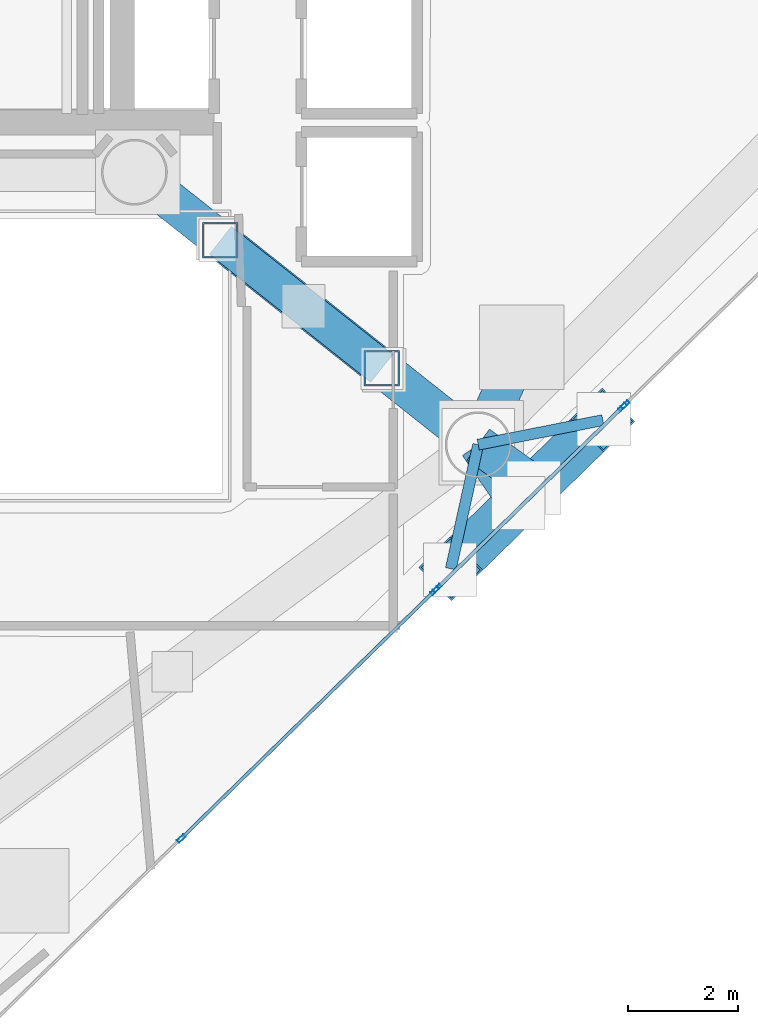
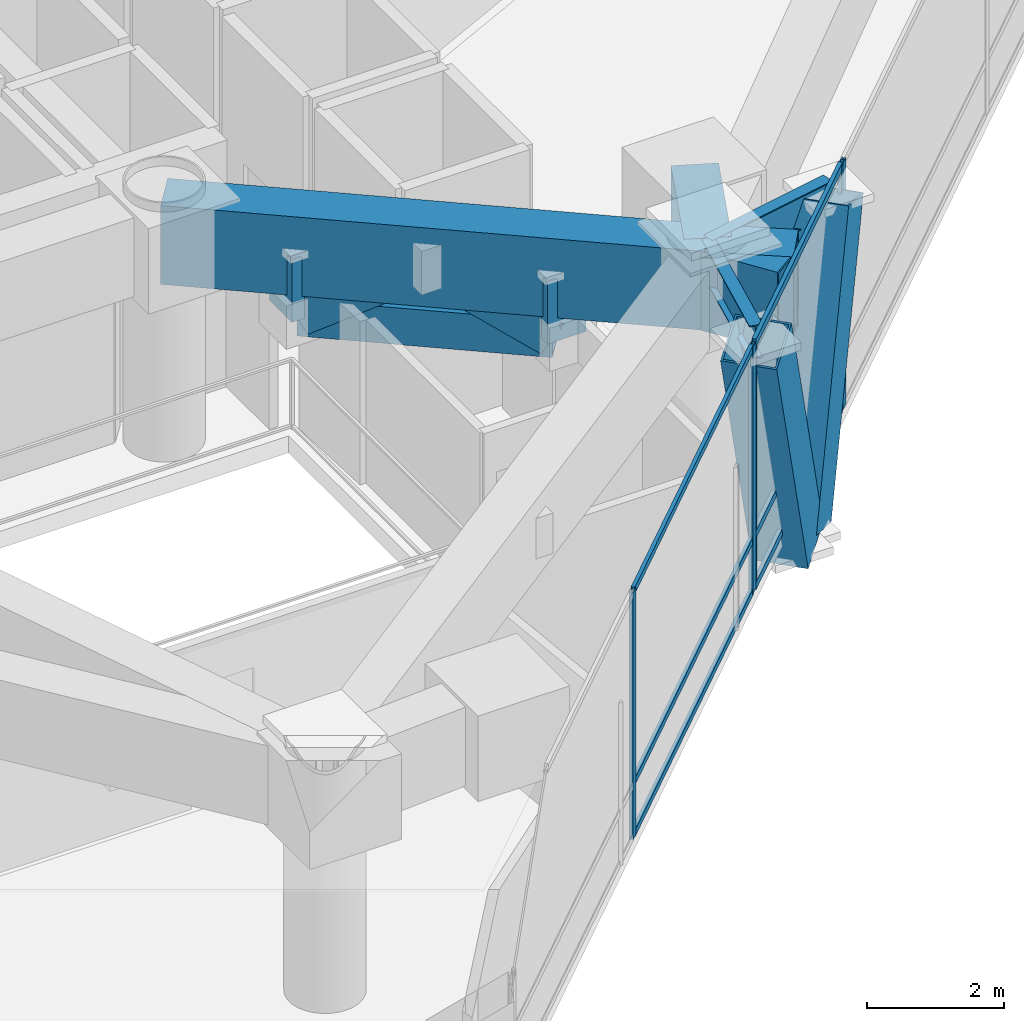
# One storey, part 5 of 20: 18 members, 6 beams, 3 elements without a shape of their own.
"""IFC4 building model written with IfcOpenShell, lengths in metres."""

from ifc_helpers import new_model, si_unit, direction, frame, origin, origin_2d, place, context, subcontext, project, spatial, hollow_rectangle, i_section, extrude, material, layer, layer_set, material_profile, profile_set, type_object, element, aggregate, save


model = new_model("IFC4")

# Units and contexts
model_context = context("Model", 3, precision=1e-05, world=origin(), true_north=direction((0.0, 1.0)))
body_context = subcontext(model_context, "Body", "Model", "MODEL_VIEW")
ifc_project = project(units=[si_unit("LENGTHUNIT", "METRE"), si_unit("AREAUNIT", "SQUARE_METRE"), si_unit("VOLUMEUNIT", "CUBIC_METRE"), si_unit("PLANEANGLEUNIT", "RADIAN"), si_unit("MASSUNIT", "GRAM", prefix="KILO")], contexts=[model_context])

# Site, building, storey
site_placement = place(None, origin())
site = spatial("IfcSite", under=ifc_project, at=site_placement, CompositionType="ELEMENT")
building_placement = place(site_placement, origin())
building = spatial("IfcBuilding", under=site, at=building_placement, Name="Qianvela Tower", CompositionType="ELEMENT")
storey_placement = place(building_placement, frame((0.0, 0.0, 229.89990234375)))
storey = spatial("IfcBuildingStorey", under=building, at=storey_placement, Name="L59", CompositionType="ELEMENT", Elevation=229.89990234375)

# Beams
ifc_material_1 = material(Name="Steel Q355B", Category="steel")
ifc_material_profile_1 = material_profile(ifc_material_1, i_section(OverallWidth=0.199951171875, OverallDepth=0.60009765625, WebThickness=0.010986328125, FlangeThickness=0.01708984375, at=origin_2d()), Name="HN600x200x11x17")
ifc_profile_set_1 = profile_set([ifc_material_profile_1], Name="Steel Q355B")
beam_type_1 = type_object("IfcBeamType", Name="BM-HN600-GIRD", PredefinedType="BEAM", material=ifc_profile_set_1)
for number, where, z_axis, x_axis, name in (
    (1, (44.6669921875, 18.883056640625, 4.078125), (-0.215022560493, -0.97660908171, 0.0), (0.97660908171, -0.215022560493, 0.0), "L59 Mega-Brace Column Tie Bracket F3-1"),
    (2, (44.6669921875, 18.883056640625, 4.078125), (0.981219633748, 0.192893831801, 0.0), (-0.192893831801, 0.981219633748, 0.0), "L59 Mega-Brace Column Tie Bracket F3-2"),
):
    element("IfcBeam", number, at=place(storey_placement, frame(where, z_axis=z_axis, x_axis=x_axis)), inside=storey, type_object=beam_type_1, Name=name, PredefinedType="BEAM", context=body_context, shape_type="SweptSolid", body=[
        extrude(i_section(OverallWidth=0.199951171875, OverallDepth=0.60009765625, WebThickness=0.010986328125, FlangeThickness=0.01708984375, at=origin_2d()), origin(), (0.0, 0.0, 1.0), 2.3173828125),
    ])
ifc_material_2 = material(Name="Steel Q420GJC", Category="steel")
ifc_material_profile_2 = material_profile(ifc_material_2, hollow_rectangle(XDim=0.699951171875, YDim=1.39990234375, WallThickness=0.0400390625, at=origin_2d()), Name="TG-BOX-1400x700x40")
ifc_profile_set_2 = profile_set([ifc_material_profile_2], Name="Steel Q420GJC")
beam_type_2 = type_object("IfcBeamType", Name="BM-TG-RAD-1400", PredefinedType="BEAM", material=ifc_profile_set_2)
beam_1_placement = place(storey_placement, frame((38.39990234375, 23.85009765625, 3.677978515625), z_axis=(0.783705217119, -0.621132942824, 0.0), x_axis=(0.621132942824, 0.783705217119, 0.0)))
element("IfcBeam", 3, at=beam_1_placement, inside=storey, type_object=beam_type_2, Name="L59 Radial Outrigger Top Transfer Girder 6", PredefinedType="BEAM", context=body_context, shape_type="SweptSolid", body=[
    extrude(hollow_rectangle(XDim=0.699951171875, YDim=1.39990234375, WallThickness=0.0400390625, at=origin_2d()), origin(), (0.0, 0.0, 1.0), 7.996826171875),
])
ifc_material_3 = material(Name="Steel Q420GJC", Category="steel")
ifc_material_profile_3 = material_profile(ifc_material_3, hollow_rectangle(XDim=0.699951171875, YDim=1.39990234375, WallThickness=0.0400390625, at=origin_2d()), Name="TG-BOX-1400x700x40")
ifc_profile_set_3 = profile_set([ifc_material_profile_3], Name="Steel Q420GJC")
beam_type_3 = type_object("IfcBeamType", Name="BM-TG-STEP-1400", PredefinedType="BEAM", material=ifc_profile_set_3)
beam_2_placement = place(storey_placement, frame((44.6669921875, 18.883056640625, 3.675048828125), z_axis=(0.566794105166, -0.823859479735, 0.0), x_axis=(0.823859479735, 0.566794105166, 0.0)))
element("IfcBeam", 4, at=beam_2_placement, inside=storey, type_object=beam_type_3, Name="L59 Mega-Brace Zone Base Bracket F3-1", PredefinedType="BEAM", context=body_context, shape_type="SweptSolid", body=[
    extrude(hollow_rectangle(XDim=0.699951171875, YDim=1.39990234375, WallThickness=0.0400390625, at=origin_2d()), origin(), (0.0, 0.0, 1.0), 1.288818359375),
])
beam_3_placement = place(storey_placement, frame((44.6669921875, 18.883056640625, 3.675048828125), z_axis=(0.810869025456, -0.585227668139, 0.0), x_axis=(0.585227668139, 0.810869025456, 0.0)))
element("IfcBeam", 5, at=beam_3_placement, inside=storey, type_object=beam_type_3, Name="L59 Mega-Brace Zone Base Bracket F3-2", PredefinedType="BEAM", context=body_context, shape_type="SweptSolid", body=[
    extrude(hollow_rectangle(XDim=0.699951171875, YDim=1.39990234375, WallThickness=0.0400390625, at=origin_2d()), origin(), (0.0, 0.0, 1.0), 1.28857421875),
])
beam_4_placement = place(storey_placement, frame((44.6669921875, 18.883056640625, 3.677978515625), z_axis=(0.40919763601, 0.912445776298, 0.0), x_axis=(-0.912445776298, 0.40919763601, 0.0)))
element("IfcBeam", 6, at=beam_4_placement, inside=storey, type_object=beam_type_3, Name="L59 Zone-Step Transfer Girder 6", PredefinedType="BEAM", context=body_context, shape_type="SweptSolid", body=[
    extrude(hollow_rectangle(XDim=0.699951171875, YDim=1.39990234375, WallThickness=0.0400390625, at=origin_2d()), origin(), (0.0, 0.0, 1.0), 1.87939453125),
])

# Curtain wall, members
ifc_material_4 = material(Name="Anodised Architectural Aluminium and Insulated Spandrel Panel", Category="aluminium")
ifc_layer_1 = layer(ifc_material_4, 0.179931640625)
ifc_layer_set_1 = layer_set([ifc_layer_1], Name="Anodised Architectural Aluminium and Insulated Spandrel Panel")
curtain_wall_type_1 = type_object("IfcCurtainWallType", Name="CW-BRACEBAY", PredefinedType="USERDEFINED", material=ifc_layer_set_1)
curtain_wall_1_placement = place(storey_placement, origin())
curtain_wall_1 = element("IfcCurtainWall", 7, at=curtain_wall_1_placement, inside=storey, type_object=curtain_wall_type_1, Name="L59 CW-BRACEBAY Curtain Wall 06B", ObjectType="CURTAIN_WALL_SYSTEM", PredefinedType="USERDEFINED")
ifc_material_5 = material(Name="Anodised Architectural Aluminium 6063-T6", Category="aluminium")
ifc_material_profile_4 = material_profile(ifc_material_5, hollow_rectangle(XDim=0.06494140625, YDim=0.159912109375, WallThickness=0.0048828125, at=origin_2d()), Name="ALU-MULL-65x160")
ifc_profile_set_4 = profile_set([ifc_material_profile_4], Name="Anodised Architectural Aluminium 6063-T6")
member_type_1 = type_object("IfcMemberType", Name="CW-BRACEBAY-MULL", PredefinedType="MULLION", material=ifc_profile_set_4)
member_1_placement = place(storey_placement, frame((43.921142578125, 16.26611328125, 0.0), z_axis=(0.0, 0.0, 1.0), x_axis=(-0.699065687984, 0.715057454953, 0.0)))
member_1 = element("IfcMember", 8, at=member_1_placement, type_object=member_type_1, Name="CW-9 mullion 1", PredefinedType="MULLION", context=body_context, shape_type="SweptSolid", body=[
    extrude(hollow_rectangle(XDim=0.06494140625, YDim=0.159912109375, WallThickness=0.0048828125, at=origin_2d()), origin(), (0.0, 0.0, 1.0), 4.380126953125),
])
member_2_placement = place(storey_placement, frame((47.2998046875, 19.5693359375, 0.0), z_axis=(0.0, 0.0, 1.0), x_axis=(-0.699065687984, 0.715057454953, 0.0)))
member_2 = element("IfcMember", 9, at=member_2_placement, type_object=member_type_1, Name="CW-9 mullion 2", PredefinedType="MULLION", context=body_context, shape_type="SweptSolid", body=[
    extrude(hollow_rectangle(XDim=0.06494140625, YDim=0.159912109375, WallThickness=0.0048828125, at=origin_2d()), origin(), (0.0, 0.0, 1.0), 4.380126953125),
])
ifc_material_6 = material(Name="Anodised Architectural Aluminium 6063-T6", Category="aluminium")
ifc_material_profile_5 = material_profile(ifc_material_6, hollow_rectangle(XDim=0.06494140625, YDim=0.1298828125, WallThickness=0.00439453125, at=origin_2d()), Name="ALU-TRAN-65x130")
ifc_profile_set_5 = profile_set([ifc_material_profile_5], Name="Anodised Architectural Aluminium 6063-T6")
member_type_2 = type_object("IfcMemberType", Name="CW-BRACEBAY-TRAN", PredefinedType="USERDEFINED", material=ifc_profile_set_5)
member_3_placement = place(storey_placement, frame((43.944580078125, 16.288818359375, 0.03271484375), z_axis=(0.715025291783, 0.699098585401, 0.0), x_axis=(-0.699098585401, 0.715025291783, 0.0)))
member_3 = element("IfcMember", 10, at=member_3_placement, type_object=member_type_2, Name="CW-9 transom 1.1", ObjectType="TRANSOM", PredefinedType="USERDEFINED", context=body_context, shape_type="SweptSolid", body=[
    extrude(hollow_rectangle(XDim=0.06494140625, YDim=0.1298828125, WallThickness=0.00439453125, at=origin_2d()), origin(), (0.0, 0.0, 1.0), 4.659912109375),
])
member_4_placement = place(storey_placement, frame((43.944580078125, 16.288818359375, 0.9501953125), z_axis=(0.715025291783, 0.699098585401, 0.0), x_axis=(-0.699098585401, 0.715025291783, 0.0)))
member_4 = element("IfcMember", 11, at=member_4_placement, type_object=member_type_2, Name="CW-9 transom 1.2", ObjectType="TRANSOM", PredefinedType="USERDEFINED", context=body_context, shape_type="SweptSolid", body=[
    extrude(hollow_rectangle(XDim=0.06494140625, YDim=0.1298828125, WallThickness=0.00439453125, at=origin_2d()), origin(), (0.0, 0.0, 1.0), 4.659912109375),
])
member_5_placement = place(storey_placement, frame((43.944580078125, 16.288818359375, 4.34765625), z_axis=(0.715025291783, 0.699098585401, 0.0), x_axis=(-0.699098585401, 0.715025291783, 0.0)))
member_5 = element("IfcMember", 12, at=member_5_placement, type_object=member_type_2, Name="CW-9 transom 1.3", ObjectType="TRANSOM", PredefinedType="USERDEFINED", context=body_context, shape_type="SweptSolid", body=[
    extrude(hollow_rectangle(XDim=0.06494140625, YDim=0.1298828125, WallThickness=0.00439453125, at=origin_2d()), origin(), (0.0, 0.0, 1.0), 4.659912109375),
])
aggregate(curtain_wall_1, [member_1, member_2, member_3, member_4, member_5])

ifc_material_7 = material(Name="Anodised Architectural Aluminium and Low-E Glass", Category="aluminium")
ifc_layer_2 = layer(ifc_material_7, 0.159912109375)
ifc_layer_set_2 = layer_set([ifc_layer_2], Name="Anodised Architectural Aluminium and Low-E Glass")
curtain_wall_type_2 = type_object("IfcCurtainWallType", Name="CW-COLIV-Z56", PredefinedType="USERDEFINED", material=ifc_layer_set_2)
curtain_wall_2_placement = place(storey_placement, origin())
curtain_wall_2 = element("IfcCurtainWall", 13, at=curtain_wall_2_placement, inside=storey, type_object=curtain_wall_type_2, Name="L59 CW-COLIV-Z56 Curtain Wall 06A", ObjectType="CURTAIN_WALL_SYSTEM", PredefinedType="USERDEFINED")
ifc_material_8 = material(Name="Anodised Architectural Aluminium 6063-T6", Category="aluminium")
ifc_material_profile_6 = material_profile(ifc_material_8, hollow_rectangle(XDim=0.06494140625, YDim=0.159912109375, WallThickness=0.0048828125, at=origin_2d()), Name="ALU-MULL-65x160")
ifc_profile_set_6 = profile_set([ifc_material_profile_6], Name="Anodised Architectural Aluminium 6063-T6")
member_type_3 = type_object("IfcMemberType", Name="CW-COLIV-Z56-MULL", PredefinedType="MULLION", material=ifc_profile_set_6)
member_6_placement = place(storey_placement, frame((39.25390625, 11.702880859375, 0.0), z_axis=(0.0, 0.0, 1.0), x_axis=(-0.699078624574, 0.715044807452, 0.0)))
member_6 = element("IfcMember", 14, at=member_6_placement, type_object=member_type_3, Name="CW-5 mullion 2", PredefinedType="MULLION", context=body_context, shape_type="SweptSolid", body=[
    extrude(hollow_rectangle(XDim=0.06494140625, YDim=0.159912109375, WallThickness=0.0048828125, at=origin_2d()), origin(), (0.0, 0.0, 1.0), 4.380126953125),
])
member_7_placement = place(storey_placement, frame((43.874755859375, 16.220703125, 0.0), z_axis=(0.0, 0.0, 1.0), x_axis=(-0.699078624574, 0.715044807452, 0.0)))
member_7 = element("IfcMember", 15, at=member_7_placement, type_object=member_type_3, Name="CW-5 mullion 3", PredefinedType="MULLION", context=body_context, shape_type="SweptSolid", body=[
    extrude(hollow_rectangle(XDim=0.06494140625, YDim=0.159912109375, WallThickness=0.0048828125, at=origin_2d()), origin(), (0.0, 0.0, 1.0), 4.380126953125),
])

# Curtain wall, member
curtain_wall_3_placement = place(storey_placement, origin())
curtain_wall_3 = element("IfcCurtainWall", 16, at=curtain_wall_3_placement, inside=storey, type_object=curtain_wall_type_2, Name="L59 CW-COLIV-Z56 Curtain Wall 06C", ObjectType="CURTAIN_WALL_SYSTEM", PredefinedType="USERDEFINED")
member_8_placement = place(storey_placement, frame((47.346435546875, 19.61474609375, 0.0), z_axis=(0.0, 0.0, 1.0), x_axis=(-0.699077512028, 0.715045895154, 0.0)))
member_8 = element("IfcMember", 17, at=member_8_placement, type_object=member_type_3, Name="CW-5 mullion 1", PredefinedType="MULLION", context=body_context, shape_type="SweptSolid", body=[
    extrude(hollow_rectangle(XDim=0.06494140625, YDim=0.159912109375, WallThickness=0.0048828125, at=origin_2d()), origin(), (0.0, 0.0, 1.0), 4.380126953125),
])
aggregate(curtain_wall_3, [member_8])

# Member
ifc_material_9 = material(Name="Anodised Architectural Aluminium 6063-T6", Category="aluminium")
ifc_material_profile_7 = material_profile(ifc_material_9, hollow_rectangle(XDim=0.06005859375, YDim=0.114990234375, WallThickness=0.00390625, at=origin_2d()), Name="ALU-TRAN-60x115")
ifc_profile_set_7 = profile_set([ifc_material_profile_7], Name="Anodised Architectural Aluminium 6063-T6")
member_type_4 = type_object("IfcMemberType", Name="CW-COLIV-Z56-TRAN", PredefinedType="USERDEFINED", material=ifc_profile_set_7)
member_9_placement = place(storey_placement, frame((39.277099609375, 11.725830078125, 0.030029296875), z_axis=(0.715056690243, 0.699066470186, 0.0), x_axis=(-0.699066470186, 0.715056690243, 0.0)))
member_9 = element("IfcMember", 18, at=member_9_placement, type_object=member_type_4, Name="CW-5 transom 2.1", ObjectType="TRANSOM", PredefinedType="USERDEFINED", context=body_context, shape_type="SweptSolid", body=[
    extrude(hollow_rectangle(XDim=0.06005859375, YDim=0.114990234375, WallThickness=0.00390625, at=origin_2d()), origin(), (0.0, 0.0, 1.0), 6.3974609375),
])

member_10_placement = place(storey_placement, frame((39.277099609375, 11.725830078125, 0.9501953125), z_axis=(0.715056690243, 0.699066470186, 0.0), x_axis=(-0.699066470186, 0.715056690243, 0.0)))
member_10 = element("IfcMember", 19, at=member_10_placement, type_object=member_type_4, Name="CW-5 transom 2.2", ObjectType="TRANSOM", PredefinedType="USERDEFINED", context=body_context, shape_type="SweptSolid", body=[
    extrude(hollow_rectangle(XDim=0.06005859375, YDim=0.114990234375, WallThickness=0.00390625, at=origin_2d()), origin(), (0.0, 0.0, 1.0), 6.3974609375),
])

member_11_placement = place(storey_placement, frame((39.277099609375, 11.725830078125, 4.35009765625), z_axis=(0.715056690243, 0.699066470186, 0.0), x_axis=(-0.699066470186, 0.715056690243, 0.0)))
member_11 = element("IfcMember", 20, at=member_11_placement, type_object=member_type_4, Name="CW-5 transom 2.3", ObjectType="TRANSOM", PredefinedType="USERDEFINED", context=body_context, shape_type="SweptSolid", body=[
    extrude(hollow_rectangle(XDim=0.06005859375, YDim=0.114990234375, WallThickness=0.00390625, at=origin_2d()), origin(), (0.0, 0.0, 1.0), 6.3974609375),
])

aggregate(curtain_wall_2, [member_6, member_7, member_9, member_10, member_11])

# Members
ifc_material_10 = material(Name="Steel Q420GJC", Category="steel")
ifc_material_profile_8 = material_profile(ifc_material_10, hollow_rectangle(XDim=0.85009765625, YDim=0.85009765625, WallThickness=0.031982421875, at=origin_2d()), Name="MBOX-850x850x32")
ifc_profile_set_8 = profile_set([ifc_material_profile_8], Name="Steel Q420GJC")
member_type_5 = type_object("IfcMemberType", Name="MBR-MBRACE-850", PredefinedType="BRACE", material=ifc_profile_set_8)
member_12_placement = place(storey_placement, frame((45.381591796875, 17.805908203125, -0.601806640625), z_axis=(-0.24365481098, -0.238259877564, 0.940140714909), x_axis=(0.699147061395, -0.714977892345, 0.0)))
element("IfcMember", 21, at=member_12_placement, inside=storey, type_object=member_type_5, Name="L59 Tier 10 Exterior Mega-Brace F3A", PredefinedType="BRACE", context=body_context, shape_type="SweptSolid", body=[
    extrude(hollow_rectangle(XDim=0.85009765625, YDim=0.85009765625, WallThickness=0.031982421875, at=origin_2d()), origin(), (0.0, 0.0, 1.0), 4.97802734375),
])
member_13_placement = place(storey_placement, frame((45.6962890625, 18.11328125, -0.601806640625), z_axis=(0.249267732395, 0.243693679532, 0.937272099309), x_axis=(-0.699066638598, 0.715056525597, 0.0)))
element("IfcMember", 22, at=member_13_placement, inside=storey, type_object=member_type_5, Name="L59 Tier 10 Exterior Mega-Brace F3B", PredefinedType="BRACE", context=body_context, shape_type="SweptSolid", body=[
    extrude(hollow_rectangle(XDim=0.85009765625, YDim=0.85009765625, WallThickness=0.031982421875, at=origin_2d()), origin(), (0.0, 0.0, 1.0), 4.9931640625),
])
ifc_material_11 = material(Name="Steel Q420GJC", Category="steel")
ifc_material_profile_9 = material_profile(ifc_material_11, hollow_rectangle(XDim=0.64990234375, YDim=0.64990234375, WallThickness=0.028076171875, at=origin_2d()), Name="OBOX-650x650x28")
ifc_profile_set_9 = profile_set([ifc_material_profile_9], Name="Steel Q420GJC")
member_type_6 = type_object("IfcMemberType", Name="MBR-OUTRIG-650", PredefinedType="BRACE", material=ifc_profile_set_9)
for number, where, z_axis, x_axis, name in (
    (23, (39.966796875, 22.6083984375, 2.572998046875), (0.0, 0.0, 1.0), (1.0, 0.0, 0.0), "L59 Radial Outrigger Web Post 6A"),
    (24, (42.912109375, 20.273681640625, 2.572998046875), (0.0, 0.0, 1.0), (1.0, 0.0, 0.0), "L59 Radial Outrigger Web Post 6B"),
):
    element("IfcMember", number, at=place(storey_placement, frame(where, z_axis=z_axis, x_axis=x_axis)), inside=storey, type_object=member_type_6, Name=name, PredefinedType="BRACE", context=body_context, shape_type="SweptSolid", body=[
        extrude(hollow_rectangle(XDim=0.64990234375, YDim=0.64990234375, WallThickness=0.028076171875, at=origin_2d()), origin(), (0.0, 0.0, 1.0), 1.10498046875),
    ])
member_14_placement = place(storey_placement, frame((39.966796875, 22.6083984375, 2.572998046875), z_axis=(0.783655781906, -0.621195311867, 0.0), x_axis=(0.621195311867, 0.783655781906, 0.0)))
element("IfcMember", 25, at=member_14_placement, inside=storey, type_object=member_type_6, Name="L59 Radial Outrigger Bottom Chord 6", PredefinedType="BRACE", context=body_context, shape_type="SweptSolid", body=[
    extrude(hollow_rectangle(XDim=0.64990234375, YDim=0.64990234375, WallThickness=0.028076171875, at=origin_2d()), origin(), (0.0, 0.0, 1.0), 3.758544921875),
])
member_15_placement = place(storey_placement, frame((39.966796875, 22.6083984375, 2.572998046875), z_axis=(0.675508435822, -0.535524094844, 0.506855301812), x_axis=(0.62123520135, 0.783624160298, 0.0)))
element("IfcMember", 26, at=member_15_placement, inside=storey, type_object=member_type_6, Name="L59 Radial Outrigger Diagonal 6A", PredefinedType="BRACE", context=body_context, shape_type="SweptSolid", body=[
    extrude(hollow_rectangle(XDim=0.64990234375, YDim=0.64990234375, WallThickness=0.028076171875, at=origin_2d()), origin(), (0.0, 0.0, 1.0), 2.18017578125),
])
member_16_placement = place(storey_placement, frame((41.439453125, 21.44091796875, 3.677978515625), z_axis=(0.675548946815, -0.535444216632, -0.506885698489), x_axis=(0.621155417555, 0.783687404035, 0.0)))
element("IfcMember", 27, at=member_16_placement, inside=storey, type_object=member_type_6, Name="L59 Radial Outrigger Diagonal 6B", PredefinedType="BRACE", context=body_context, shape_type="SweptSolid", body=[
    extrude(hollow_rectangle(XDim=0.64990234375, YDim=0.64990234375, WallThickness=0.028076171875, at=origin_2d()), origin(), (0.0, 0.0, 1.0), 2.179931640625),
])

save(model, "model.ifc")
